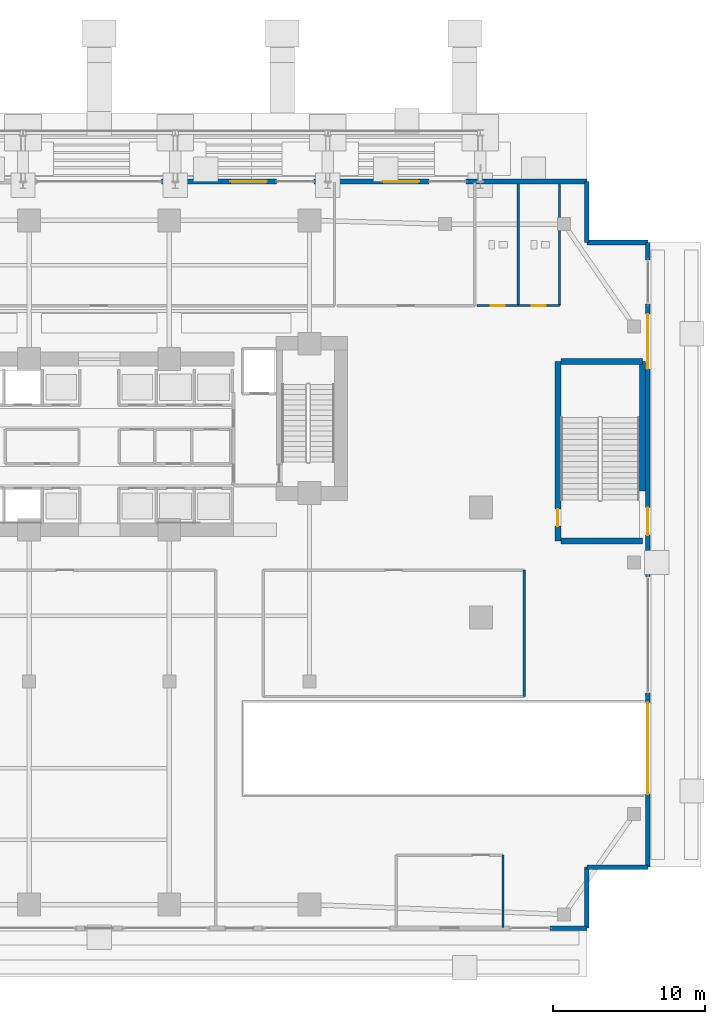
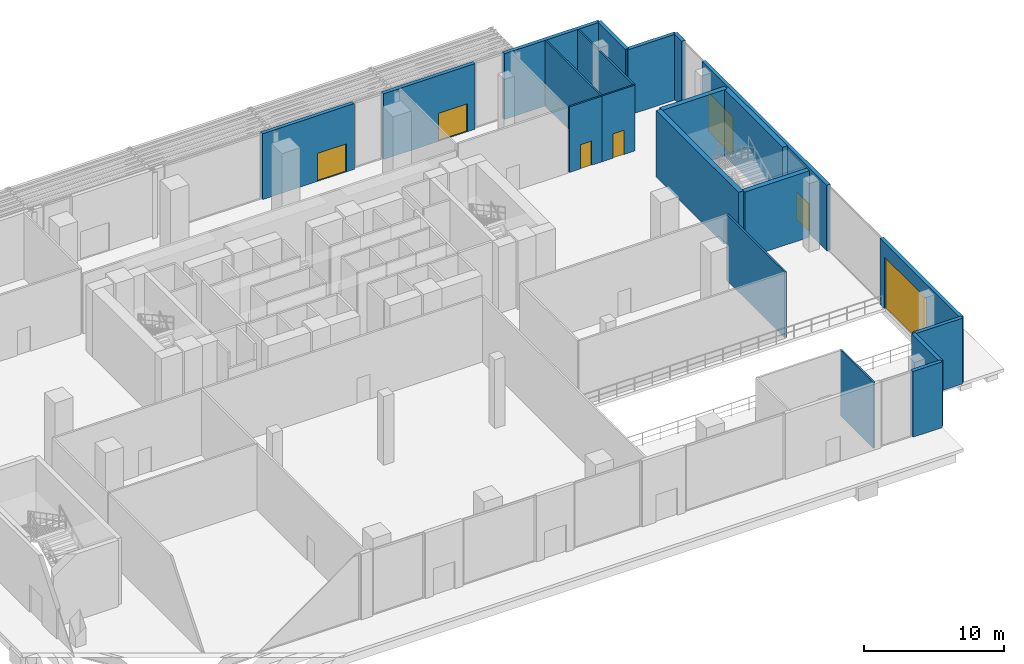
# One storey, part 31 of 39: 21 walls, 8 doors, 8 openings.
"""IFC4 building model written with IfcOpenShell, lengths in metres."""

from ifc_helpers import new_model, si_unit, direction, frame, frame_2d, origin, place, context, subcontext, project, spatial, rectangle, extrude, material, layer, layer_set, type_object, element, fill, save


model = new_model("IFC4")

# Units and contexts
model_context = context("Model", 3, precision=1e-05, world=origin(), true_north=direction((0.0, 1.0)))
body_context = subcontext(model_context, "Body", "Model", "MODEL_VIEW")
ifc_project = project(units=[si_unit("LENGTHUNIT", "METRE"), si_unit("AREAUNIT", "SQUARE_METRE"), si_unit("VOLUMEUNIT", "CUBIC_METRE"), si_unit("PLANEANGLEUNIT", "RADIAN"), si_unit("MASSUNIT", "GRAM", prefix="KILO")], contexts=[model_context])

# Site, building, storey
site_placement = place(None, origin())
site = spatial("IfcSite", under=ifc_project, at=site_placement, CompositionType="ELEMENT")
building_placement = place(site_placement, origin())
building = spatial("IfcBuilding", under=site, at=building_placement, Name="Zuhayl Quay Hotel", CompositionType="ELEMENT")
storey_placement = place(building_placement, origin())
storey = spatial("IfcBuildingStorey", under=building, at=storey_placement, Name="L00", CompositionType="ELEMENT", Elevation=0.0)

# Wall, opening, door
ifc_material_1 = material(Name="Precast concrete C45/55", Category="concrete")
ifc_layer_1 = layer(ifc_material_1, 0.300048828125, Name="Precast concrete C45/55", Category="concrete")
ifc_layer_set_1 = layer_set([ifc_layer_1], Name="Precast concrete C45/55")
wall_type_1 = type_object("IfcWallType", Name="WL_EXT_300", PredefinedType="STANDARD", material=ifc_layer_set_1)
wall_1_placement = place(storey_placement, frame((4.080078125, 25.0, 0.0), z_axis=(0.0, 0.0, 1.0), x_axis=(1.0, 0.0, 0.0)))
wall_1 = element("IfcWall", 1, at=wall_1_placement, inside=storey, type_object=wall_type_1, Name="L00 Exterior Precast Wall ENV_L00_E05_EW4", PredefinedType="STANDARD", context=body_context, shape_type="SweptSolid", body=[
    extrude(rectangle(XDim=7.56982421875, YDim=0.300048828125, at=frame_2d((3.784912109375, 0.0))), origin(), (0.0, 0.0, 1.0), 5.75),
])
opening_1_placement = place(wall_1_placement, frame((4.52001953125, 0.0, 0.0)))
opening_1 = element("IfcOpeningElement", 2, at=opening_1_placement, cuts=wall_1, Name="Opening DE1B", PredefinedType="OPENING", context=body_context, shape_type="SweptSolid", body=[
    extrude(rectangle(XDim=2.39990234375, YDim=2.449951171875, at=frame_2d((1.199951171875, 1.22509765625))), frame((0.0, 0.159912109375, 0.0), z_axis=(0.0, -1.0, 0.0), x_axis=(1.0, 0.0, 0.0)), (0.0, 0.0, 1.0), 0.320068359375),
])
ifc_material_2 = material(Name="Anodised Aluminium and Laminated Glass", Category="aluminium")
door_type_1 = type_object("IfcDoorType", Name="DR_EXT_ENT_2400", OperationType="DOUBLE_DOOR_SINGLE_SWING", PredefinedType="DOOR", material=ifc_material_2)
door_1_placement = place(opening_1_placement, origin())
door_1 = element("IfcDoor", 3, at=door_1_placement, inside=storey, type_object=door_type_1, Name="Grand Waterfront Entrance East", OperationType="DOUBLE_DOOR_SINGLE_SWING", OverallHeight=2.449951171875, OverallWidth=2.39990234375, PredefinedType="DOOR", context=body_context, shape_type="SweptSolid", body=[
    extrude(rectangle(XDim=2.39990234375, YDim=2.449951171875, at=frame_2d((1.199951171875, 1.22509765625))), frame((0.0, 0.02490234375, 0.0), z_axis=(0.0, -1.0, 0.0), x_axis=(1.0, 0.0, 0.0)), (0.0, 0.0, 1.0), 0.050048828125),
])
fill(opening_1, door_1)

wall_2_placement = place(storey_placement, frame((14.080078125, 25.0, 0.0), z_axis=(0.0, 0.0, 1.0), x_axis=(1.0, 0.0, 0.0)))
wall_2 = element("IfcWall", 4, at=wall_2_placement, inside=storey, type_object=wall_type_1, Name="L00 Exterior Precast Wall ENV_L00_E05_EW5", PredefinedType="STANDARD", context=body_context, shape_type="SweptSolid", body=[
    extrude(rectangle(XDim=7.56982421875, YDim=0.300048828125, at=frame_2d((3.784912109375, 0.0))), origin(), (0.0, 0.0, 1.0), 5.75),
])
opening_2_placement = place(wall_2_placement, frame((4.52001953125, 0.0, 0.0)))
opening_2 = element("IfcOpeningElement", 5, at=opening_2_placement, cuts=wall_2, Name="Opening DE1B", PredefinedType="OPENING", context=body_context, shape_type="SweptSolid", body=[
    extrude(rectangle(XDim=2.39990234375, YDim=2.449951171875, at=frame_2d((1.199951171875, 1.22509765625))), frame((0.0, 0.159912109375, 0.0), z_axis=(0.0, -1.0, 0.0), x_axis=(1.0, 0.0, 0.0)), (0.0, 0.0, 1.0), 0.320068359375),
])
door_2_placement = place(opening_2_placement, origin())
door_2 = element("IfcDoor", 6, at=door_2_placement, inside=storey, type_object=door_type_1, Name="Waterfront Gallery Promenade Exit East", OperationType="DOUBLE_DOOR_SINGLE_SWING", OverallHeight=2.449951171875, OverallWidth=2.39990234375, PredefinedType="DOOR", context=body_context, shape_type="SweptSolid", body=[
    extrude(rectangle(XDim=2.39990234375, YDim=2.449951171875, at=frame_2d((1.199951171875, 1.22509765625))), frame((0.0, 0.02490234375, 0.0), z_axis=(0.0, -1.0, 0.0), x_axis=(1.0, 0.0, 0.0)), (0.0, 0.0, 1.0), 0.050048828125),
])
fill(opening_2, door_2)

# Walls
wall_3_placement = place(storey_placement, frame((24.080078125, 25.0, 0.0), z_axis=(0.0, 0.0, 1.0), x_axis=(1.0, 0.0, 0.0)))
element("IfcWall", 7, at=wall_3_placement, inside=storey, type_object=wall_type_1, Name="L00 Exterior Precast Wall ENV_L00_E05_EW6", PredefinedType="STANDARD", context=body_context, shape_type="SweptSolid", body=[
    extrude(rectangle(XDim=7.919921875, YDim=0.300048828125, at=frame_2d((3.9599609375, 0.0))), origin(), (0.0, 0.0, 1.0), 5.75),
])
for number, where, z_axis, x_axis, name in (
    (8, (32.0, 25.0, 0.0), (0.0, 0.0, 1.0), (0.0, -1.0, 0.0), "L00 Exterior Precast Wall ENV_L00_EW06"),
    (9, (32.0, 21.0, 0.0), (0.0, 0.0, 1.0), (1.0, 0.0, 0.0), "L00 Exterior Precast Wall ENV_L00_EW07"),
):
    element("IfcWall", number, at=place(storey_placement, frame(where, z_axis=z_axis, x_axis=x_axis)), inside=storey, type_object=wall_type_1, Name=name, PredefinedType="STANDARD", context=body_context, shape_type="SweptSolid", body=[
        extrude(rectangle(XDim=4.0, YDim=0.300048828125, at=frame_2d((2.0, 0.0))), origin(), (0.0, 0.0, 1.0), 5.75),
    ])
wall_4_placement = place(storey_placement, frame((36.0, 21.0, 0.0), z_axis=(0.0, 0.0, 1.0), x_axis=(0.0, -1.0, 0.0)))
element("IfcWall", 10, at=wall_4_placement, inside=storey, type_object=wall_type_1, Name="L00 Exterior Precast Wall ENV_L00_E08_EW1", PredefinedType="STANDARD", context=body_context, shape_type="SweptSolid", body=[
    extrude(rectangle(XDim=1.14990234375, YDim=0.300048828125, at=frame_2d((0.574951171875, 0.0))), origin(), (0.0, 0.0, 1.0), 5.75),
])

# Wall, openings, doors
wall_5_placement = place(storey_placement, frame((36.0, 16.949951171875, 0.0), z_axis=(0.0, 0.0, 1.0), x_axis=(0.0, -1.0, 0.0)))
wall_5 = element("IfcWall", 11, at=wall_5_placement, inside=storey, type_object=wall_type_1, Name="L00 Exterior Precast Wall ENV_L00_E08_EW2", PredefinedType="STANDARD", context=body_context, shape_type="SweptSolid", body=[
    extrude(rectangle(XDim=17.869873046875, YDim=0.300048828125, at=frame_2d((8.93505859375, 0.0))), origin(), (0.0, 0.0, 1.0), 5.75),
])
opening_3_placement = place(wall_5_placement, frame((13.35009765625, 0.0, 0.0)))
opening_3 = element("IfcOpeningElement", 12, at=opening_3_placement, cuts=wall_5, Name="Opening DE1", PredefinedType="OPENING", context=body_context, shape_type="SweptSolid", body=[
    extrude(rectangle(XDim=1.800048828125, YDim=2.39990234375, at=frame_2d((0.89990234375, 1.199951171875))), frame((0.0, 0.159912109375, 0.0), z_axis=(0.0, -1.0, 0.0), x_axis=(1.0, 0.0, 0.0)), (0.0, 0.0, 1.0), 0.320068359375),
])
opening_4_placement = place(wall_5_placement, frame((0.64990234375, 0.0, 0.0)))
opening_4 = element("IfcOpeningElement", 13, at=opening_4_placement, cuts=wall_5, Name="Opening VG02", PredefinedType="OPENING", context=body_context, shape_type="SweptSolid", body=[
    extrude(rectangle(XDim=3.60009765625, YDim=3.39990234375, at=frame_2d((1.800048828125, 1.699951171875))), frame((0.0, 0.159912109375, 0.0), z_axis=(0.0, -1.0, 0.0), x_axis=(1.0, 0.0, 0.0)), (0.0, 0.0, 1.0), 0.320068359375),
])
door_type_2 = type_object("IfcDoorType", Name="DR_EXT_ENT_1800", OperationType="DOUBLE_DOOR_SINGLE_SWING", PredefinedType="DOOR", material=ifc_material_2)
door_3_placement = place(opening_3_placement, origin())
door_3 = element("IfcDoor", 14, at=door_3_placement, inside=storey, type_object=door_type_2, Name="Exit Stair ST4 Street Discharge Door", OperationType="DOUBLE_DOOR_SINGLE_SWING", OverallHeight=2.39990234375, OverallWidth=1.800048828125, PredefinedType="DOOR", context=body_context, shape_type="SweptSolid", body=[
    extrude(rectangle(XDim=1.800048828125, YDim=2.39990234375, at=frame_2d((0.89990234375, 1.199951171875))), frame((0.0, 0.02490234375, 0.0), z_axis=(0.0, -1.0, 0.0), x_axis=(1.0, 0.0, 0.0)), (0.0, 0.0, 1.0), 0.050048828125),
])
fill(opening_3, door_3)
ifc_material_3 = material(Name="Steel ASTM A992 Grade 50", Category="steel")
door_type_3 = type_object("IfcDoorType", Name="DR_SRV_GATE_VG02", OperationType="ROLLINGUP", PredefinedType="GATE", material=ifc_material_3)
door_4_placement = place(opening_4_placement, origin())
door_4 = element("IfcDoor", 15, at=door_4_placement, inside=storey, type_object=door_type_3, Name="East Service Yard Roller Shutter Gate", OperationType="ROLLINGUP", OverallHeight=3.39990234375, OverallWidth=3.60009765625, PredefinedType="GATE", context=body_context, shape_type="SweptSolid", body=[
    extrude(rectangle(XDim=3.60009765625, YDim=3.39990234375, at=frame_2d((1.800048828125, 1.699951171875))), frame((0.0, 0.02490234375, 0.0), z_axis=(0.0, -1.0, 0.0), x_axis=(1.0, 0.0, 0.0)), (0.0, 0.0, 1.0), 0.050048828125),
])
fill(opening_4, door_4)

# Wall, opening, door
wall_6_placement = place(storey_placement, frame((36.0, -8.550048828125, 0.0), z_axis=(0.0, 0.0, 1.0), x_axis=(0.0, -1.0, 0.0)))
wall_6 = element("IfcWall", 16, at=wall_6_placement, inside=storey, type_object=wall_type_1, Name="L00 Exterior Precast Wall ENV_L00_E08_EW3", PredefinedType="STANDARD", context=body_context, shape_type="SweptSolid", body=[
    extrude(rectangle(XDim=11.449951171875, YDim=0.300048828125, at=frame_2d((5.72509765625, 0.0))), origin(), (0.0, 0.0, 1.0), 5.75),
])
opening_5_placement = place(wall_6_placement, frame((0.64990234375, 0.0, 0.0)))
opening_5 = element("IfcOpeningElement", 17, at=opening_5_placement, cuts=wall_6, Name="Opening VG01", PredefinedType="OPENING", context=body_context, shape_type="SweptSolid", body=[
    extrude(rectangle(XDim=6.0, YDim=4.5, at=frame_2d((3.0, 2.25))), frame((0.0, 0.159912109375, 0.0), z_axis=(0.0, -1.0, 0.0), x_axis=(1.0, 0.0, 0.0)), (0.0, 0.0, 1.0), 0.320068359375),
])
ifc_material_4 = material(Name="Anodised Aluminium 6063-T6", Category="aluminium")
door_type_4 = type_object("IfcDoorType", Name="DR_VEH_GATE_VG01", OperationType="ROLLINGUP", PredefinedType="GATE", material=ifc_material_4)
door_5_placement = place(opening_5_placement, origin())
door_5 = element("IfcDoor", 18, at=door_5_placement, inside=storey, type_object=door_type_4, Name="Car Park Vehicle Ramp Roller Shutter Gate VG01", OperationType="ROLLINGUP", OverallHeight=4.5, OverallWidth=6.0, PredefinedType="GATE", context=body_context, shape_type="SweptSolid", body=[
    extrude(rectangle(XDim=6.0, YDim=4.5, at=frame_2d((3.0, 2.25))), frame((0.0, 0.02490234375, 0.0), z_axis=(0.0, -1.0, 0.0), x_axis=(1.0, 0.0, 0.0)), (0.0, 0.0, 1.0), 0.050048828125),
])
fill(opening_5, door_5)

# Walls
for number, where, z_axis, x_axis, name in (
    (19, (36.0, -20.0, 0.0), (0.0, 0.0, 1.0), (-1.0, 0.0, 0.0), "L00 Exterior Precast Wall ENV_L00_EW09"),
    (20, (32.0, -20.0, 0.0), (0.0, 0.0, 1.0), (0.0, -1.0, 0.0), "L00 Exterior Precast Wall ENV_L00_EW10"),
):
    element("IfcWall", number, at=place(storey_placement, frame(where, z_axis=z_axis, x_axis=x_axis)), inside=storey, type_object=wall_type_1, Name=name, PredefinedType="STANDARD", context=body_context, shape_type="SweptSolid", body=[
        extrude(rectangle(XDim=4.0, YDim=0.300048828125, at=frame_2d((2.0, 0.0))), origin(), (0.0, 0.0, 1.0), 5.75),
    ])
wall_7_placement = place(storey_placement, frame((32.0, -24.0, 0.0), z_axis=(0.0, 0.0, 1.0), x_axis=(-1.0, 0.0, 0.0)))
element("IfcWall", 21, at=wall_7_placement, inside=storey, type_object=wall_type_1, Name="L00 Exterior Precast Wall ENV_L00_E11_EW1", PredefinedType="STANDARD", context=body_context, shape_type="SweptSolid", body=[
    extrude(rectangle(XDim=2.419921875, YDim=0.300048828125, at=frame_2d((1.2099609375, 0.0))), origin(), (0.0, 0.0, 1.0), 5.75),
])
ifc_material_5 = material(Name="Acoustic Gypsum Partition STC-58")
ifc_layer_2 = layer(ifc_material_5, 0.14990234375, Name="Acoustic Gypsum Partition STC-58")
ifc_layer_set_2 = layer_set([ifc_layer_2], Name="Acoustic Gypsum Partition STC-58")
wall_type_2 = type_object("IfcWallType", Name="WL_PART_150", PredefinedType="PARTITIONING", material=ifc_layer_set_2)
wall_8_placement = place(storey_placement, frame((27.89990234375, -8.800048828125, 0.0), z_axis=(0.0, 0.0, 1.0), x_axis=(0.0, 1.0, 0.0)))
element("IfcWall", 22, at=wall_8_placement, inside=storey, type_object=wall_type_2, Name="L00 Partition IW_L00_LUGGAGE_E_E", PredefinedType="PARTITIONING", context=body_context, shape_type="SweptSolid", body=[
    extrude(rectangle(XDim=8.300048828125, YDim=0.14990234375, at=frame_2d((4.14990234375, 0.0))), origin(), (0.0, 0.0, 1.0), 5.75),
])
wall_9_placement = place(storey_placement, frame((26.5, -23.93994140625, 0.0), z_axis=(0.0, 0.0, 1.0), x_axis=(0.0, 1.0, 0.0)))
element("IfcWall", 23, at=wall_9_placement, inside=storey, type_object=wall_type_2, Name="L00 Partition IW_L00_FCC_E", PredefinedType="PARTITIONING", context=body_context, shape_type="SweptSolid", body=[
    extrude(rectangle(XDim=4.739990234375, YDim=0.14990234375, at=frame_2d((2.3701171875, 0.0))), origin(), (0.0, 0.0, 1.0), 5.75),
])

# Wall, opening, door
ifc_material_6 = material(Name="Moisture-Resistant Sanitarychase Gypsum")
ifc_layer_3 = layer(ifc_material_6, 0.135009765625, Name="Moisture-Resistant Sanitarychase Gypsum")
ifc_layer_set_3 = layer_set([ifc_layer_3], Name="Moisture-Resistant Sanitarychase Gypsum")
wall_type_3 = type_object("IfcWallType", Name="WL_PART_PLUMB_150", PredefinedType="PLUMBINGWALL", material=ifc_layer_set_3)
wall_10_placement = place(storey_placement, frame((24.800048828125, 16.85009765625, 0.0), z_axis=(0.0, 0.0, 1.0), x_axis=(1.0, 0.0, 0.0)))
wall_10 = element("IfcWall", 24, at=wall_10_placement, inside=storey, type_object=wall_type_3, Name="L00 Partition IW_L00_PWC_PUB_F", PredefinedType="PLUMBINGWALL", context=body_context, shape_type="SweptSolid", body=[
    extrude(rectangle(XDim=2.699951171875, YDim=0.135009765625, at=frame_2d((1.35009765625, 0.0))), origin(), (0.0, 0.0, 1.0), 5.75),
])
opening_6_placement = place(wall_10_placement, frame((0.889892578125, 0.0, 0.0)))
opening_6 = element("IfcOpeningElement", 25, at=opening_6_placement, cuts=wall_10, Name="Opening D05", PredefinedType="OPENING", context=body_context, shape_type="SweptSolid", body=[
    extrude(rectangle(XDim=0.919921875, YDim=2.1201171875, at=frame_2d((0.4599609375, 1.06005859375))), frame((0.0, 0.077392578125, 0.0), z_axis=(0.0, -1.0, 0.0), x_axis=(1.0, 0.0, 0.0)), (0.0, 0.0, 1.0), 0.155029296875),
])
ifc_material_7 = material(Name="Solid Walnut Acoustic Fire Door")
door_type_5 = type_object("IfcDoorType", Name="DR_INT_950", OperationType="NOTDEFINED", PredefinedType="DOOR", material=ifc_material_7)
door_6_placement = place(opening_6_placement, origin())
door_6 = element("IfcDoor", 26, at=door_6_placement, inside=storey, type_object=door_type_5, Name="L00 Public Restroom Door", OperationType="SINGLE_SWING_RIGHT", OverallHeight=2.1201171875, OverallWidth=0.919921875, PredefinedType="DOOR", context=body_context, shape_type="SweptSolid", body=[
    extrude(rectangle(XDim=0.919921875, YDim=2.1201171875, at=frame_2d((0.4599609375, 1.06005859375))), frame((0.0, 0.02490234375, 0.0), z_axis=(0.0, -1.0, 0.0), x_axis=(1.0, 0.0, 0.0)), (0.0, 0.0, 1.0), 0.050048828125),
])
fill(opening_6, door_6)

wall_11_placement = place(storey_placement, frame((27.5, 16.85009765625, 0.0), z_axis=(0.0, 0.0, 1.0), x_axis=(1.0, 0.0, 0.0)))
wall_11 = element("IfcWall", 27, at=wall_11_placement, inside=storey, type_object=wall_type_3, Name="L00 Partition IW_L00_PWC_ACC_F", PredefinedType="PLUMBINGWALL", context=body_context, shape_type="SweptSolid", body=[
    extrude(rectangle(XDim=2.699951171875, YDim=0.135009765625, at=frame_2d((1.35009765625, 0.0))), origin(), (0.0, 0.0, 1.0), 5.75),
])
opening_7_placement = place(wall_11_placement, frame((0.889892578125, 0.0, 0.0)))
opening_7 = element("IfcOpeningElement", 28, at=opening_7_placement, cuts=wall_11, Name="Opening D05", PredefinedType="OPENING", context=body_context, shape_type="SweptSolid", body=[
    extrude(rectangle(XDim=0.919921875, YDim=2.1201171875, at=frame_2d((0.4599609375, 1.06005859375))), frame((0.0, 0.077392578125, 0.0), z_axis=(0.0, -1.0, 0.0), x_axis=(1.0, 0.0, 0.0)), (0.0, 0.0, 1.0), 0.155029296875),
])
door_7_placement = place(opening_7_placement, origin())
door_7 = element("IfcDoor", 29, at=door_7_placement, inside=storey, type_object=door_type_5, Name="L00 Accessible Wheelchair WC Door", OperationType="SINGLE_SWING_LEFT", OverallHeight=2.1201171875, OverallWidth=0.919921875, PredefinedType="DOOR", context=body_context, shape_type="SweptSolid", body=[
    extrude(rectangle(XDim=0.919921875, YDim=2.1201171875, at=frame_2d((0.4599609375, 1.06005859375))), frame((0.0, 0.02490234375, 0.0), z_axis=(0.0, -1.0, 0.0), x_axis=(1.0, 0.0, 0.0)), (0.0, 0.0, 1.0), 0.050048828125),
])
fill(opening_7, door_7)

# Walls
for number, where, z_axis, x_axis, name in (
    (30, (30.199951171875, 16.85009765625, 0.0), (0.0, 0.0, 1.0), (0.0, 1.0, 0.0), "L00 Partition IW_L00_PWC_E"),
    (31, (27.5, 16.85009765625, 0.0), (0.0, 0.0, 1.0), (0.0, 1.0, 0.0), "L00 Partition IW_L00_PWC_DIV"),
):
    element("IfcWall", number, at=place(storey_placement, frame(where, z_axis=z_axis, x_axis=x_axis)), inside=storey, type_object=wall_type_3, Name=name, PredefinedType="PLUMBINGWALL", context=body_context, shape_type="SweptSolid", body=[
        extrude(rectangle(XDim=8.0, YDim=0.135009765625, at=frame_2d((4.0, 0.0))), origin(), (0.0, 0.0, 1.0), 5.75),
    ])

# Wall, opening, door
ifc_material_8 = material(Name="Concrete C60/75", Category="concrete")
ifc_layer_4 = layer(ifc_material_8, 0.39990234375, Name="Concrete C60/75", Category="concrete")
ifc_layer_set_4 = layer_set([ifc_layer_4], Name="Concrete C60/75")
wall_type_4 = type_object("IfcWallType", Name="WL_STAIR_400", PredefinedType="SHEAR", material=ifc_layer_set_4)
wall_12_placement = place(storey_placement, frame((30.10009765625, 13.199951171875, 0.0), z_axis=(0.0, 0.0, 1.0), x_axis=(0.0, -1.0, 0.0)))
wall_12 = element("IfcWall", 32, at=wall_12_placement, inside=storey, type_object=wall_type_4, Name="L00 Podium Stair Shear Wall SW_ST4_W", PredefinedType="SHEAR", context=body_context, shape_type="SweptSolid", body=[
    extrude(rectangle(XDim=11.800048828125, YDim=0.39990234375, at=frame_2d((5.89990234375, 0.0))), origin(), (0.0, 0.0, 1.0), 5.81005859375),
])
opening_8_placement = place(wall_12_placement, frame((9.699951171875, 0.0, 0.0)))
opening_8 = element("IfcOpeningElement", 33, at=opening_8_placement, cuts=wall_12, Name="Opening D01", PredefinedType="OPENING", context=body_context, shape_type="SweptSolid", body=[
    extrude(rectangle(XDim=1.1201171875, YDim=2.219970703125, at=frame_2d((0.56005859375, 1.10986328125))), frame((0.0, 0.2099609375, 0.0), z_axis=(0.0, -1.0, 0.0), x_axis=(1.0, 0.0, 0.0)), (0.0, 0.0, 1.0), 0.419921875),
])
door_type_6 = type_object("IfcDoorType", Name="DR_STAIR_90_1100", OperationType="NOTDEFINED", PredefinedType="DOOR", material=ifc_material_3)
door_8_placement = place(opening_8_placement, origin())
door_8 = element("IfcDoor", 34, at=door_8_placement, inside=storey, type_object=door_type_6, Name="L00 Podium Exit Stair ST4 Door", OperationType="SINGLE_SWING_LEFT", OverallHeight=2.219970703125, OverallWidth=1.1201171875, PredefinedType="DOOR", context=body_context, shape_type="SweptSolid", body=[
    extrude(rectangle(XDim=1.1201171875, YDim=2.219970703125, at=frame_2d((0.56005859375, 1.10986328125))), frame((0.0, 0.02490234375, 0.0), z_axis=(0.0, -1.0, 0.0), x_axis=(1.0, 0.0, 0.0)), (0.0, 0.0, 1.0), 0.050048828125),
])
fill(opening_8, door_8)

# Walls
for number, where, z_axis, x_axis, name in (
    (35, (30.300048828125, 1.39990234375, 0.0), (0.0, 0.0, 1.0), (1.0, 0.0, 0.0), "L00 Podium Stair Shear Wall SW_ST4_S"),
    (36, (30.300048828125, 13.199951171875, 0.0), (0.0, 0.0, 1.0), (1.0, 0.0, 0.0), "L00 Podium Stair Shear Wall SW_ST4_N"),
):
    element("IfcWall", number, at=place(storey_placement, frame(where, z_axis=z_axis, x_axis=x_axis)), inside=storey, type_object=wall_type_4, Name=name, PredefinedType="SHEAR", context=body_context, shape_type="SweptSolid", body=[
        extrude(rectangle(XDim=5.349853515625, YDim=0.39990234375, at=frame_2d((2.6748046875, 0.0))), origin(), (0.0, 0.0, 1.0), 5.81005859375),
    ])
wall_13_placement = place(storey_placement, frame((35.64990234375, 4.699951171875, 0.0), z_axis=(0.0, 0.0, 1.0), x_axis=(0.0, 1.0, 0.0)))
element("IfcWall", 37, at=wall_13_placement, inside=storey, type_object=wall_type_4, Name="L00 Podium Stair Shear Wall SW_ST4_E", PredefinedType="SHEAR", context=body_context, shape_type="SweptSolid", body=[
    extrude(rectangle(XDim=8.5, YDim=0.39990234375, at=frame_2d((4.25, 0.0))), origin(), (0.0, 0.0, 1.0), 5.81005859375),
])

save(model, "model.ifc")
